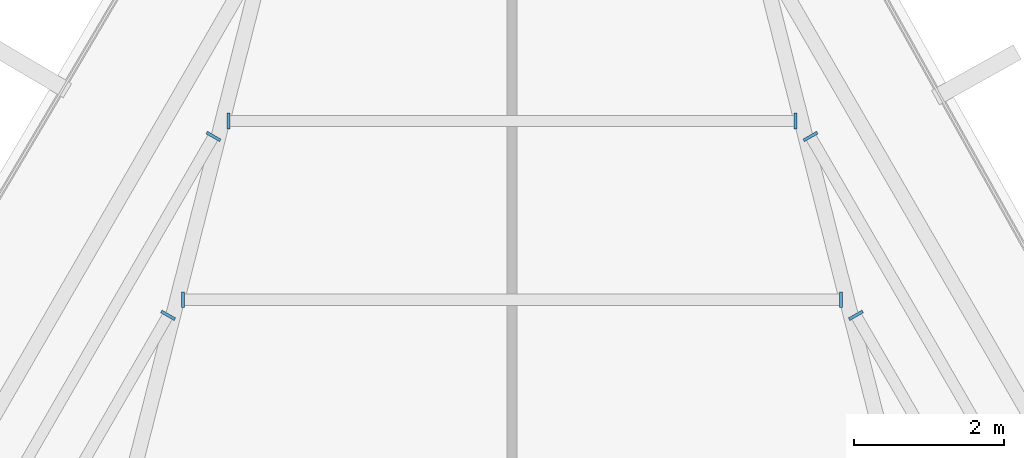
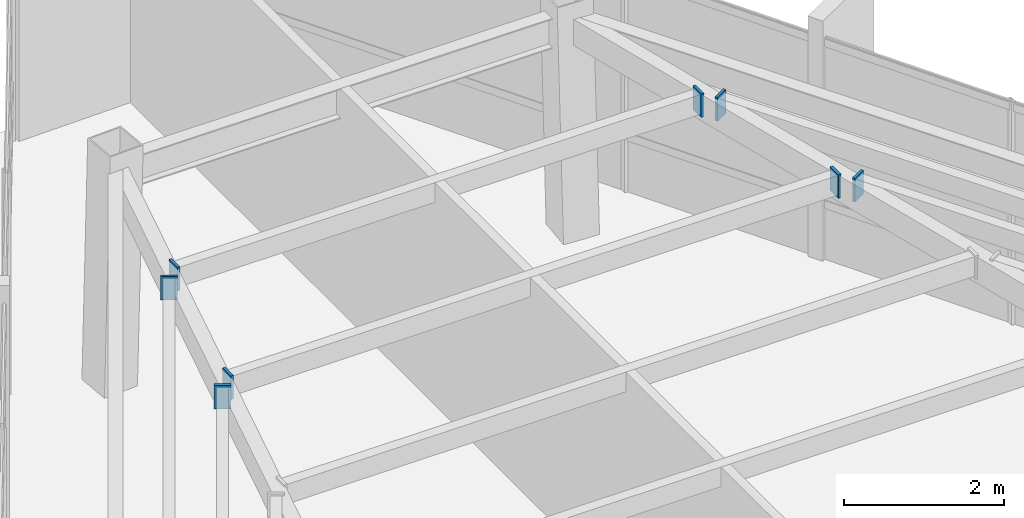
# One storey, part 43 of 48: 8 plates.
"""IFC4 building model written with IfcOpenShell, lengths in metres."""

from ifc_helpers import new_model, si_unit, direction, frame, origin, origin_2d, place, context, subcontext, project, spatial, rectangle, extrude, source, transform, mapped, material, layer, layer_set, type_object, type_shapes, element, save


model = new_model("IFC4")

# Units and contexts
model_context = context("Model", 3, precision=1e-05, world=origin(), true_north=direction((0.0, 1.0)))
body_context = subcontext(model_context, "Body", "Model", "MODEL_VIEW")
ifc_project = project(units=[si_unit("LENGTHUNIT", "METRE"), si_unit("AREAUNIT", "SQUARE_METRE"), si_unit("VOLUMEUNIT", "CUBIC_METRE"), si_unit("PLANEANGLEUNIT", "RADIAN"), si_unit("MASSUNIT", "GRAM", prefix="KILO")], contexts=[model_context])

# Site, building, storey
site_placement = place(None, origin())
site = spatial("IfcSite", under=ifc_project, at=site_placement, CompositionType="ELEMENT")
building_placement = place(site_placement, origin())
building = spatial("IfcBuilding", under=site, at=building_placement, Name="Caelisora Broadcast Tower", CompositionType="ELEMENT")
storey_placement = place(building_placement, frame((0.0, 0.0, 277.300048828125)))
storey = spatial("IfcBuildingStorey", under=building, at=storey_placement, Name="L73", CompositionType="ELEMENT", Elevation=277.300048828125)

# Plates
ifc_material = material(Name="Steel Grade 350 L15 (AS/NZS 3678)", Category="steel")
ifc_layer = layer(ifc_material, 0.0400390625, Name="Steel Grade 350 L15 (AS/NZS 3678)")
ifc_layer_set = layer_set([ifc_layer], Name="Steel Grade 350 L15 (AS/NZS 3678)")
plate_type = type_object("IfcPlateType", Name="GP04", PredefinedType="USERDEFINED", material=ifc_layer_set)
shared_shape = source(origin(), body_context, "Body", "SweptSolid", [
    extrude(rectangle(XDim=0.2099609375, YDim=0.0400390625, at=origin_2d()), origin(), (0.0, 0.0, 1.0), 0.360107421875),
])
type_shapes(plate_type, [shared_shape])
for number, where, z_axis, x_axis, name in (
    (1, (42.390869140625, 41.94140625, 3.06982421875), (0.0, 0.0, 1.0), (0.0, -1.0, 0.0), "L73 gusset plate GP04 (ND-SB-L73-005A)"),
    (2, (33.609130859375, 41.94140625, 3.06982421875), (0.0, 0.0, 1.0), (0.0, -1.0, 0.0), "L73 gusset plate GP04 (ND-SB-L73-005B)"),
    (3, (41.78515625, 44.32958984375, 3.06982421875), (0.0, 0.0, 1.0), (0.0, -1.0, 0.0), "L73 gusset plate GP04 (ND-SB-L73-006A)"),
    (4, (34.21484375, 44.32958984375, 3.06982421875), (0.0, 0.0, 1.0), (0.0, -1.0, 0.0), "L73 gusset plate GP04 (ND-SB-L73-006B)"),
    (5, (33.40869140625, 41.7333984375, 3.06982421875), (0.0, 0.0, 1.0), (0.866025403784, -0.5, 0.0), "L73 gusset plate GP04 (ND-SB-L73-010A)"),
    (6, (34.014404296875, 44.12158203125, 3.06982421875), (0.0, 0.0, 1.0), (0.866025403784, -0.5, 0.0), "L73 gusset plate GP04 (ND-SB-L73-011A)"),
    (7, (42.59130859375, 41.7333984375, 3.06982421875), (0.0, 0.0, 1.0), (-0.866025403784, -0.5, 0.0), "L73 gusset plate GP04 (ND-SB-L73-059B)"),
    (8, (41.985595703125, 44.12158203125, 3.06982421875), (0.0, 0.0, 1.0), (-0.866025403784, -0.5, 0.0), "L73 gusset plate GP04 (ND-SB-L73-060B)"),
):
    element("IfcPlate", number, at=place(storey_placement, frame(where, z_axis=z_axis, x_axis=x_axis)), inside=storey, type_object=plate_type, Name=name, ObjectType="GUSSET PLATE", PredefinedType="USERDEFINED", context=body_context, shape_type="MappedRepresentation", body=[
        mapped(shared_shape, transform((0.0, 0.0, 0.0), scale=1.0)),
    ])

save(model, "model.ifc")
